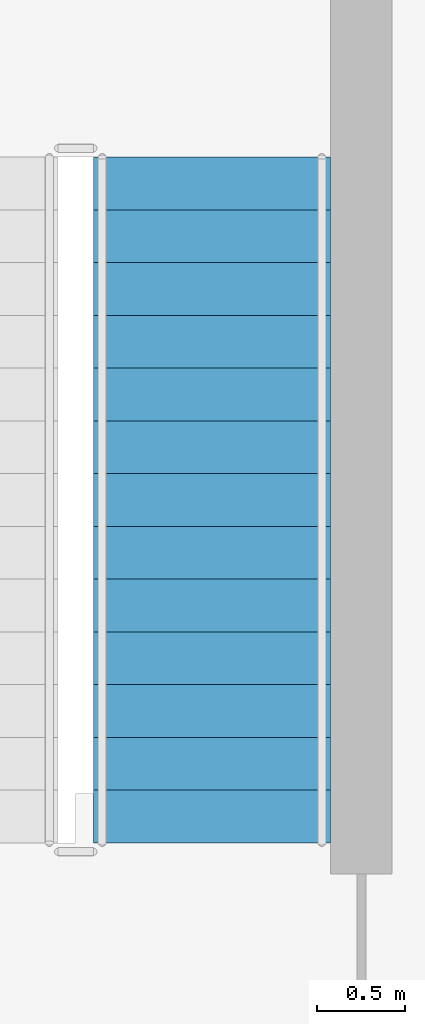
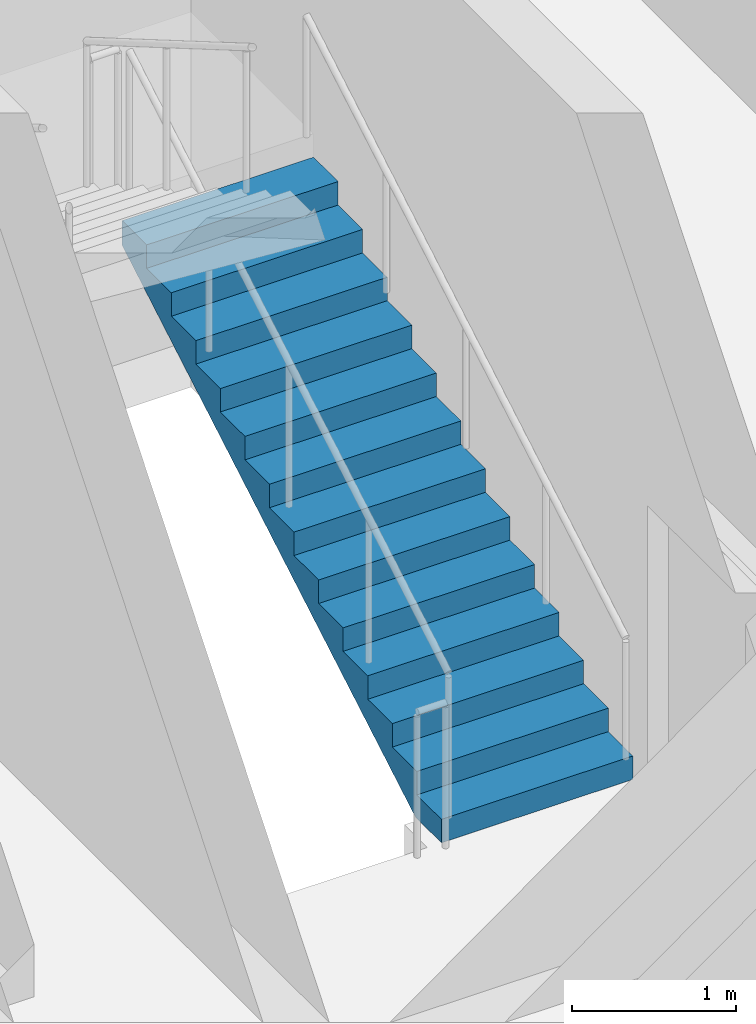
# One storey, part 132 of 144: 1 stair flight, 1 element without a shape of its own.
"""IFC4 building model written with IfcOpenShell, lengths in metres."""

from ifc_helpers import new_model, si_unit, direction, frame, origin, place, context, subcontext, project, spatial, polyline, outline, extrude, material, type_object, element, aggregate, save


model = new_model("IFC4")

# Units and contexts
model_context = context("Model", 3, precision=1e-05, world=origin(), true_north=direction((0.0, 1.0)))
body_context = subcontext(model_context, "Body", "Model", "MODEL_VIEW")
ifc_project = project(units=[si_unit("LENGTHUNIT", "METRE"), si_unit("AREAUNIT", "SQUARE_METRE"), si_unit("VOLUMEUNIT", "CUBIC_METRE"), si_unit("PLANEANGLEUNIT", "RADIAN"), si_unit("MASSUNIT", "GRAM", prefix="KILO")], contexts=[model_context])

# Site, building, storey
site_placement = place(None, origin())
site = spatial("IfcSite", under=ifc_project, at=site_placement, CompositionType="ELEMENT")
building_placement = place(site_placement, origin())
building = spatial("IfcBuilding", under=site, at=building_placement, Name="Karori Crest Natural Sciences Institute", CompositionType="ELEMENT")
storey_placement = place(building_placement, origin())
storey = spatial("IfcBuildingStorey", under=building, at=storey_placement, Name="L00", CompositionType="ELEMENT", Elevation=0.0)

# Stair, stair flight
ifc_material = material(Name="Concrete 40 MPa", Category="concrete")
stair_type = type_object("IfcStairType", Name="STT-02", PredefinedType="HALF_TURN_STAIR", material=ifc_material)
stair_placement = place(storey_placement, origin())
stair = element("IfcStair", 1, at=stair_placement, inside=storey, type_object=stair_type, Name="Protected stair ST-06-L00", PredefinedType="HALF_TURN_STAIR")
stair_flight_type = type_object("IfcStairFlightType", Name="SFT-02", PredefinedType="STRAIGHT", material=ifc_material)
stair_flight_placement = place(storey_placement, frame((11.425048828125, 141.0, 0.0), z_axis=(0.0, 0.0, 1.0), x_axis=(0.0, 1.0, 0.0)))
stair_flight = element("IfcStairFlight", 2, at=stair_flight_placement, type_object=stair_flight_type, Name="ST-06-L00 flight 1", NumberOfRisers=14, NumberOfTreads=13, PredefinedType="STRAIGHT", RiserHeight=0.175, TreadLength=0.3, context=body_context, shape_type="SweptSolid", body=[
    extrude(outline(polyline([(0.0, 0.0), (0.0, 0.175048828125), (0.300048828125, 0.175048828125), (0.300048828125, 0.35009765625), (0.60009765625, 0.35009765625), (0.60009765625, 0.52490234375), (0.89990234375, 0.52490234375), (0.89990234375, 0.699951171875), (1.199951171875, 0.699951171875), (1.199951171875, 0.875), (1.5, 0.875), (1.5, 1.050048828125), (1.800048828125, 1.050048828125), (1.800048828125, 1.22509765625), (2.10009765625, 1.22509765625), (2.10009765625, 1.39990234375), (2.39990234375, 1.39990234375), (2.39990234375, 1.574951171875), (2.699951171875, 1.574951171875), (2.699951171875, 1.75), (3.0, 1.75), (3.0, 1.925048828125), (3.300048828125, 1.925048828125), (3.300048828125, 2.10009765625), (3.60009765625, 2.10009765625), (3.60009765625, 2.27490234375), (3.89990234375, 2.27490234375), (3.89990234375, 2.449951171875), (3.89990234375, 2.08984375), (0.3173828125, 0.0), (0.0, 0.0)])), frame((0.0, 0.675048828125, 0.0), z_axis=(0.0, -1.0, 0.0), x_axis=(1.0, 0.0, 0.0)), (0.0, 0.0, 1.0), 1.35009765625),
])
aggregate(stair, [stair_flight])

save(model, "model.ifc")
